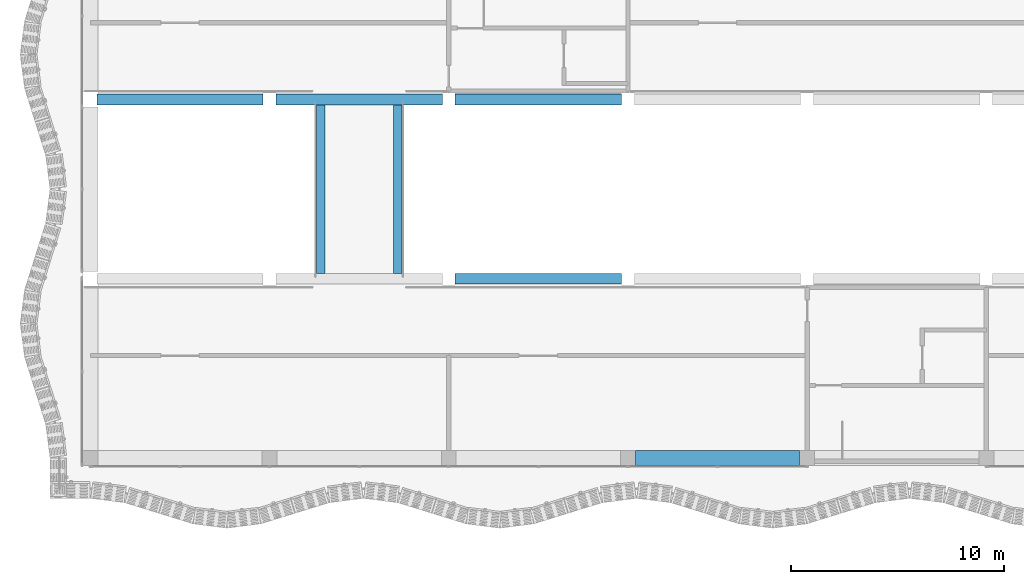
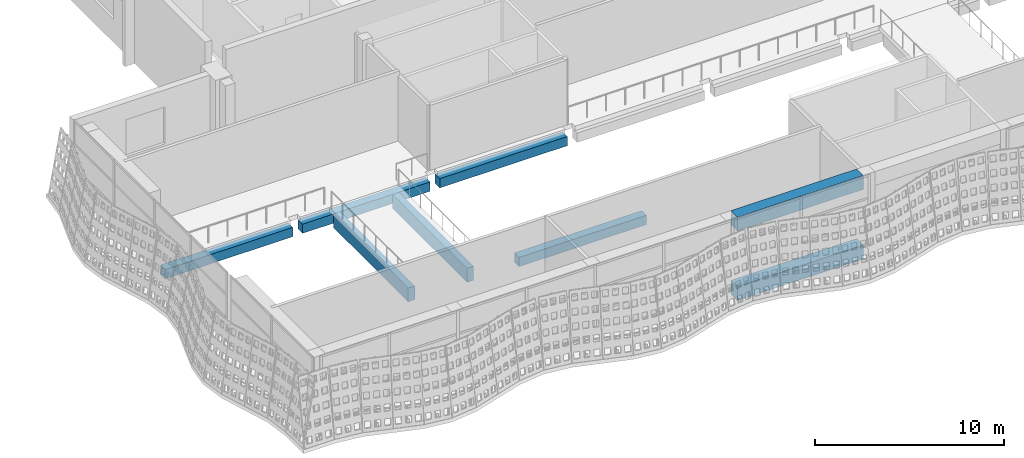
# One storey, part 27 of 162: 8 beams.
"""IFC4 building model written with IfcOpenShell, lengths in metres."""

from ifc_helpers import new_model, si_unit, direction, frame, origin, origin_2d, place, context, subcontext, project, spatial, rectangle, extrude, material, material_profile, profile_set, type_object, element, save


model = new_model("IFC4")

# Units and contexts
model_context = context("Model", 3, precision=1e-05, world=origin(), true_north=direction((0.0, 1.0)))
body_context = subcontext(model_context, "Body", "Model", "MODEL_VIEW")
ifc_project = project(units=[si_unit("LENGTHUNIT", "METRE"), si_unit("AREAUNIT", "SQUARE_METRE"), si_unit("VOLUMEUNIT", "CUBIC_METRE"), si_unit("PLANEANGLEUNIT", "RADIAN"), si_unit("MASSUNIT", "GRAM", prefix="KILO")], contexts=[model_context])

# Site, building, storey
site_placement = place(None, origin())
site = spatial("IfcSite", under=ifc_project, at=site_placement, CompositionType="ELEMENT")
building_placement = place(site_placement, origin())
building = spatial("IfcBuilding", under=site, at=building_placement, Name="Rain Tree Exposition and Congress Centre", CompositionType="ELEMENT")
storey_placement = place(building_placement, frame((0.0, 0.0, 6.0)))
storey = spatial("IfcBuildingStorey", under=building, at=storey_placement, Name="L01", CompositionType="ELEMENT", Elevation=6.0)

# Beams
ifc_material_1 = material(Name="Precast concrete C50/60", Category="concrete")
ifc_material_profile_1 = material_profile(ifc_material_1, rectangle(XDim=0.39990234375, YDim=0.89990234375, at=origin_2d()), Name="RC 400x900")
ifc_profile_set_1 = profile_set([ifc_material_profile_1], Name="Precast concrete C50/60")
beam_type_1 = type_object("IfcBeamType", Name="Precast beam 400x900", PredefinedType="BEAM", material=ifc_profile_set_1)
for number, where, z_axis, x_axis, name in (
    (1, (10.800048828125, 84.25, -0.75), (0.0, 1.0, 0.0), (-1.0, 0.0, 0.0), "Concourse bridge beam 1.1"),
    (2, (14.39990234375, 84.25, -0.75), (0.0, 1.0, 0.0), (-1.0, 0.0, 0.0), "Concourse bridge beam 1.2"),
):
    element("IfcBeam", number, at=place(storey_placement, frame(where, z_axis=z_axis, x_axis=x_axis)), inside=storey, type_object=beam_type_1, Name=name, PredefinedType="BEAM", context=body_context, shape_type="SweptSolid", body=[
        extrude(rectangle(XDim=0.39990234375, YDim=0.89990234375, at=origin_2d()), origin(), (0.0, 0.0, 1.0), 7.89990234375),
    ])
ifc_material_2 = material(Name="Precast concrete C50/60", Category="concrete")
ifc_material_profile_2 = material_profile(ifc_material_2, rectangle(XDim=0.5, YDim=0.60009765625, at=origin_2d()), Name="RC 500x600")
ifc_profile_set_2 = profile_set([ifc_material_profile_2], Name="Precast concrete C50/60")
beam_type_2 = type_object("IfcBeamType", Name="Precast beam 500x600", PredefinedType="BEAM", material=ifc_profile_set_2)
beam_1_placement = place(storey_placement, frame((17.10009765625, 84.0, -0.60009765625), z_axis=(1.0, 0.0, 0.0), x_axis=(0.0, 1.0, 0.0)))
element("IfcBeam", 3, at=beam_1_placement, inside=storey, type_object=beam_type_2, Name="Concourse floor beam 35", PredefinedType="BEAM", context=body_context, shape_type="SweptSolid", body=[
    extrude(rectangle(XDim=0.5, YDim=0.60009765625, at=origin_2d()), origin(), (0.0, 0.0, 1.0), 7.7998046875),
])
for number, where, z_axis, x_axis, name in (
    (4, (0.300048828125, 92.39990234375, -0.60009765625), (1.0, 0.0, 0.0), (0.0, 1.0, 0.0), "Concourse floor beam 65"),
    (5, (8.699951171875, 92.39990234375, -0.60009765625), (1.0, 0.0, 0.0), (0.0, 1.0, 0.0), "Concourse floor beam 66"),
):
    element("IfcBeam", number, at=place(storey_placement, frame(where, z_axis=z_axis, x_axis=x_axis)), inside=storey, type_object=beam_type_2, Name=name, PredefinedType="BEAM", context=body_context, shape_type="SweptSolid", body=[
        extrude(rectangle(XDim=0.5, YDim=0.60009765625, at=origin_2d()), origin(), (0.0, 0.0, 1.0), 7.800048828125),
    ])
beam_2_placement = place(storey_placement, frame((17.10009765625, 92.39990234375, -0.60009765625), z_axis=(1.0, 0.0, 0.0), x_axis=(0.0, 1.0, 0.0)))
element("IfcBeam", 6, at=beam_2_placement, inside=storey, type_object=beam_type_2, Name="Concourse floor beam 67", PredefinedType="BEAM", context=body_context, shape_type="SweptSolid", body=[
    extrude(rectangle(XDim=0.5, YDim=0.60009765625, at=origin_2d()), origin(), (0.0, 0.0, 1.0), 7.7998046875),
])
ifc_material_3 = material(Name="Precast concrete C50/60", Category="concrete")
ifc_material_profile_3 = material_profile(ifc_material_3, rectangle(XDim=0.699951171875, YDim=0.89990234375, at=origin_2d()), Name="RC 700x900")
ifc_profile_set_3 = profile_set([ifc_material_profile_3], Name="Precast concrete C50/60")
beam_type_3 = type_object("IfcBeamType", Name="Precast beam 700x900", PredefinedType="BEAM", material=ifc_profile_set_3)
for number, where, z_axis, x_axis, name in (
    (7, (25.550048828125, 75.60009765625, -0.449951171875), (1.0, 0.0, 0.0), (0.0, 1.0, 0.0), "Concourse edge beam 4"),
    (8, (25.550048828125, 75.60009765625, 4.050048828125), (1.0, 0.0, 0.0), (0.0, 1.0, 0.0), "Concourse roof edge beam 4"),
):
    element("IfcBeam", number, at=place(storey_placement, frame(where, z_axis=z_axis, x_axis=x_axis)), inside=storey, type_object=beam_type_3, Name=name, PredefinedType="BEAM", context=body_context, shape_type="SweptSolid", body=[
        extrude(rectangle(XDim=0.699951171875, YDim=0.89990234375, at=origin_2d()), origin(), (0.0, 0.0, 1.0), 7.699951171875),
    ])

save(model, "model.ifc")
